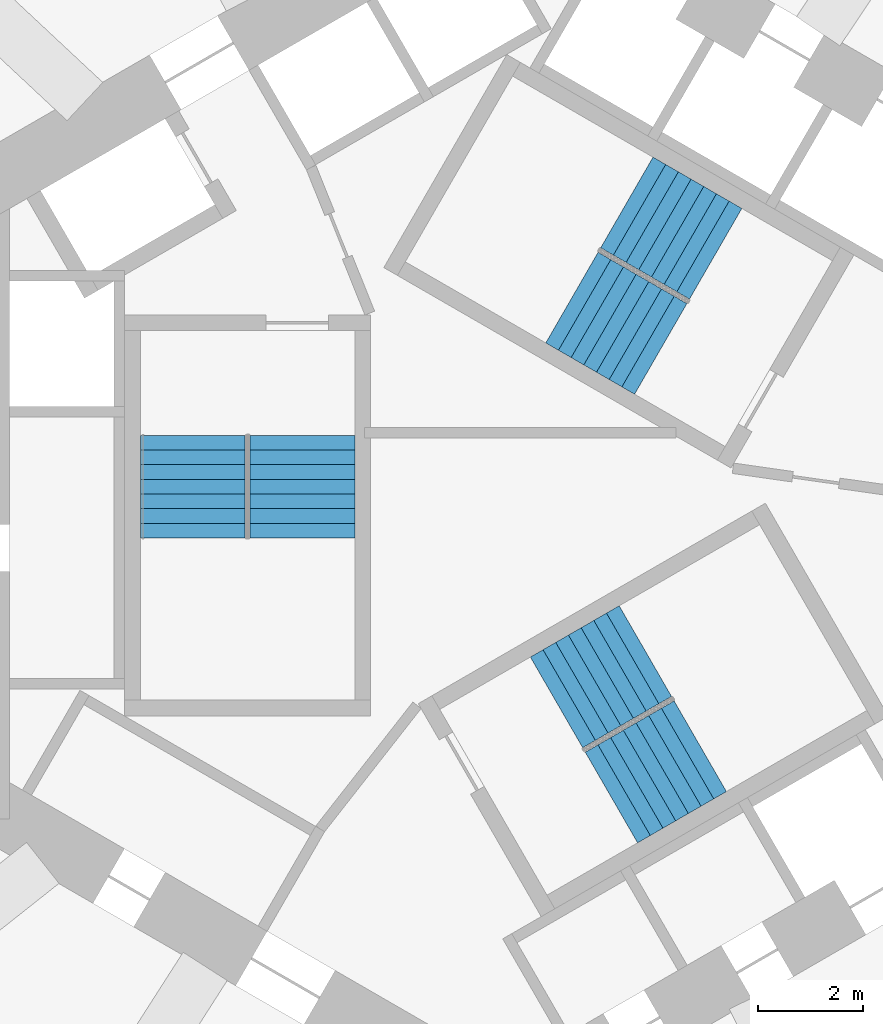
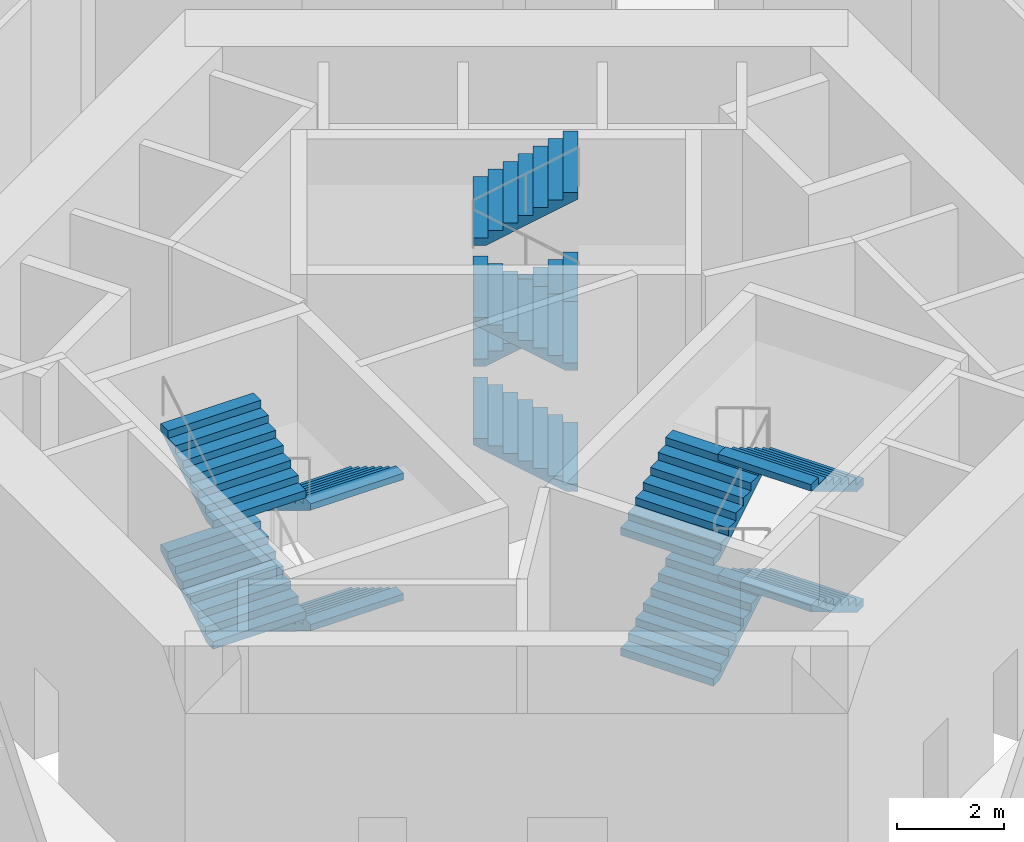
# One storey, part 12 of 16: 12 stair flights, 3 elements without a shape of their own.
"""IFC4 building model written with IfcOpenShell, lengths in metres."""

import ifcopenshell
import ifcopenshell.guid

model = None  # the IFC model being written
_history = None  # IfcOwnerHistory: only IFC2X3 demands one
_inside = {}  # id of a spatial element -> (the spatial element, [elements in it])
_under = {}  # id of a project, library or spatial element -> (it, [spatial elements below it])
_declared = {}  # id of a project -> (the project, [libraries it declares])
_typed = {}  # id of a type object -> (the type object, [elements of that type])
_made_of = {}  # id of a material, layer set ... -> (it, [elements and type objects made of it])


def new_model(schema):
    """Start an empty IFC model of exactly this schema.

    Asked for "IFC4X3", IfcOpenShell would pick the latest addendum, in which some entities
    have other attributes; the version numbers below select the first issue.
    IFC2X3 requires an IfcOwnerHistory on every rooted entity: one is made here for all.
    """
    global model, _history
    if schema == "IFC4X3":
        model = ifcopenshell.file(schema_version=(4, 3, 0, 0))
    else:
        model = ifcopenshell.file(schema=schema)
    _inside.clear()
    _under.clear()
    _declared.clear()
    _typed.clear()
    _made_of.clear()
    _history = None
    if model.schema == "IFC2X3":
        org = make("IfcOrganization", Name="unknown")
        user = make(
            "IfcPersonAndOrganization",
            ThePerson=make("IfcPerson", FamilyName="unknown"),
            TheOrganization=org,
        )
        app = make(
            "IfcApplication",
            ApplicationDeveloper=org,
            Version="unknown",
            ApplicationFullName="unknown",
            ApplicationIdentifier="unknown",
        )
        _history = make(
            "IfcOwnerHistory",
            OwningUser=user,
            OwningApplication=app,
            ChangeAction="ADDED",
            CreationDate=0,
        )
    return model


def make(cls, **values):
    """One entity of the class cls with the attributes given. An attribute that is None is left unset."""
    return model.create_entity(
        cls, **{name: value for name, value in values.items() if value is not None}
    )


def rooted(cls, **values):
    """An entity with a GlobalId (a new one), such as an element, a storey or a relation."""
    return make(cls, GlobalId=ifcopenshell.guid.new(), OwnerHistory=_history, **values)


def si_unit(unit_type, name, prefix=None):
    """IfcSIUnit, for example si_unit("LENGTHUNIT", "METRE", prefix="MILLI")."""
    return make("IfcSIUnit", UnitType=unit_type, Prefix=prefix, Name=name)


def assignment(units):
    """IfcUnitAssignment: the units of a project."""
    return None if units is None else make("IfcUnitAssignment", Units=units)


def point(xyz):
    """IfcCartesianPoint."""
    return None if xyz is None else make("IfcCartesianPoint", Coordinates=xyz)


def direction(xyz):
    """IfcDirection."""
    return None if xyz is None else make("IfcDirection", DirectionRatios=xyz)


def frame(location, z_axis=None, x_axis=None):
    """IfcAxis2Placement3D, a coordinate frame: its origin and axes. An axis left out is left unset."""
    return make(
        "IfcAxis2Placement3D",
        Location=point(location),
        Axis=direction(z_axis),
        RefDirection=direction(x_axis),
    )


def origin():
    """The frame at (0, 0, 0) with its axes left unset."""
    return frame((0.0, 0.0, 0.0))


def place(relative_to, where):
    """IfcLocalPlacement: puts the frame where relative to a parent placement (None: the world)."""
    return make(
        "IfcLocalPlacement", PlacementRelTo=relative_to, RelativePlacement=where
    )


def context(
    kind, dimensions, precision=None, world=None, true_north=None, identifier=None
):
    """IfcGeometricRepresentationContext, for example the 3D "Model" context."""
    return make(
        "IfcGeometricRepresentationContext",
        ContextIdentifier=identifier,
        ContextType=kind,
        CoordinateSpaceDimension=dimensions,
        Precision=precision,
        WorldCoordinateSystem=world,
        TrueNorth=true_north,
    )


def subcontext(parent, identifier, kind, view, scale=None):
    """IfcGeometricRepresentationSubContext, for example "Body" below "Model"."""
    return make(
        "IfcGeometricRepresentationSubContext",
        ContextIdentifier=identifier,
        ContextType=kind,
        ParentContext=parent,
        TargetScale=scale,
        TargetView=view,
    )


def project(units=None, contexts=None):
    """IfcProject with its units and contexts."""
    return rooted(
        "IfcProject",
        Name="project",
        RepresentationContexts=contexts,
        UnitsInContext=assignment(units),
    )


def spatial(cls, under=None, at=None, **own):
    """A site, building, storey or space (cls), placed at a placement, below another one or the project."""
    s = rooted(cls, ObjectPlacement=at, **own)
    if under is not None:
        _under.setdefault(under.id(), (under, []))[1].append(s)
    return s


def point_list(points):
    """IfcCartesianPointList2D or 3D."""
    cls = (
        "IfcCartesianPointList2D" if len(points[0]) == 2 else "IfcCartesianPointList3D"
    )
    return make(cls, CoordList=points)


def triangles(points, corners, closed=None, point_numbers=None):
    """IfcTriangulatedFaceSet: each triangle names its three corners, points numbered from 1."""
    return make(
        "IfcTriangulatedFaceSet",
        Coordinates=point_list(points),
        Closed=closed,
        CoordIndex=corners,
        PnIndex=point_numbers,
    )


def shape(context_of_items, identifier, shape_type, items):
    """IfcShapeRepresentation: the items that make up one representation, for example the "Body"."""
    return make(
        "IfcShapeRepresentation",
        ContextOfItems=context_of_items,
        RepresentationIdentifier=identifier,
        RepresentationType=shape_type,
        Items=items,
    )


def source(mapping_origin, context_of_items, identifier, shape_type, items):
    """IfcRepresentationMap: a shape defined once, which mapped items show again and again."""
    return make(
        "IfcRepresentationMap",
        MappingOrigin=mapping_origin,
        MappedRepresentation=shape(context_of_items, identifier, shape_type, items),
    )


def transform(
    local_origin,
    x_axis=None,
    y_axis=None,
    z_axis=None,
    scale=None,
    scale2=None,
    scale3=None,
    uniform=True,
):
    """IfcCartesianTransformationOperator3D, or its non-uniform kind. x_axis, y_axis, z_axis: its Axis1, 2, 3."""
    if uniform:
        return make(
            "IfcCartesianTransformationOperator3D",
            Axis1=direction(x_axis),
            Axis2=direction(y_axis),
            LocalOrigin=point(local_origin),
            Scale=scale,
            Axis3=direction(z_axis),
        )
    return make(
        "IfcCartesianTransformationOperator3DnonUniform",
        Axis1=direction(x_axis),
        Axis2=direction(y_axis),
        LocalOrigin=point(local_origin),
        Scale=scale,
        Axis3=direction(z_axis),
        Scale2=scale2,
        Scale3=scale3,
    )


def mapped(mapping_source, mapping_target):
    """IfcMappedItem: shows the shape of a source again, moved by a transform."""
    return make(
        "IfcMappedItem", MappingSource=mapping_source, MappingTarget=mapping_target
    )


def material(Name=None, Category=None):
    """IfcMaterial."""
    return make("IfcMaterial", Name=Name, Category=Category)


def made_of(thing, what):
    """Note that an element or type object is made of a material, layer set ...; save() writes the relation."""
    if what is not None:
        _made_of.setdefault(what.id(), (what, []))[1].append(thing)
    return thing


def type_object(cls, material=None, **own):
    """A type object (cls), such as IfcWallType, which elements share."""
    return made_of(rooted(cls, **own), material)


def element(
    cls,
    number,
    at=None,
    inside=None,
    cuts=None,
    type_object=None,
    material=None,
    context=None,
    identifier="Body",
    shape_type=None,
    held_by="IfcProductDefinitionShape",
    body=None,
    shapes=None,
    **own,
):
    """One element of the class cls, such as IfcWall. Its Tag is "e" and its number.

    at: its placement. inside: the storey or other place that contains it. cuts: it is an
    opening in that element (IfcRelVoidsElement). A single representation is given by context,
    identifier, shape_type and body (its items); several are given by shapes. held_by: the class
    of the entity that holds the representations. save() writes the other relations.
    """
    e = rooted(cls, Tag="e%d" % number, ObjectPlacement=at, **own)
    if body is not None:
        shapes = [shape(context, identifier, shape_type, body)]
    if shapes is not None:
        e.Representation = make(held_by, Representations=shapes)
    if inside is not None:
        _inside.setdefault(inside.id(), (inside, []))[1].append(e)
    if cuts is not None:
        rooted(
            "IfcRelVoidsElement", RelatingBuildingElement=cuts, RelatedOpeningElement=e
        )
    if type_object is not None:
        _typed.setdefault(type_object.id(), (type_object, []))[1].append(e)
    return made_of(e, material)


def aggregate(whole, parts):
    """IfcRelAggregates: a whole, such as a stair, and the parts it consists of."""
    return rooted("IfcRelAggregates", RelatingObject=whole, RelatedObjects=parts)


def save(model, path):
    """Write the relations noted so far, then the file.

    IfcRelAggregates (storeys below a building ...), IfcRelContainedInSpatialStructure (elements
    in a storey), IfcRelDefinesByType, IfcRelAssociatesMaterial and IfcRelDeclares: one each for
    every whole, place, type object, material and project.
    """
    for whole, parts in _under.values():
        aggregate(whole, parts)
    for where, things in _inside.values():
        rooted(
            "IfcRelContainedInSpatialStructure",
            RelatedElements=things,
            RelatingStructure=where,
        )
    for kind, things in _typed.values():
        rooted("IfcRelDefinesByType", RelatedObjects=things, RelatingType=kind)
    for what, things in _made_of.values():
        rooted("IfcRelAssociatesMaterial", RelatedObjects=things, RelatingMaterial=what)
    for by, libraries in _declared.values():
        rooted("IfcRelDeclares", RelatingContext=by, RelatedDefinitions=libraries)
    model.write(path)


model = new_model("IFC4")

# Units and contexts
model_context = context("Model", 3, precision=1e-05, world=origin(), true_north=direction((0.0, 1.0)))
body_context = subcontext(model_context, "Body", "Model", "MODEL_VIEW")
ifc_project = project(units=[si_unit("LENGTHUNIT", "METRE"), si_unit("AREAUNIT", "SQUARE_METRE"), si_unit("VOLUMEUNIT", "CUBIC_METRE"), si_unit("PLANEANGLEUNIT", "RADIAN"), si_unit("MASSUNIT", "GRAM", prefix="KILO")], contexts=[model_context])

# Site, building, storey
site_placement = place(None, origin())
site = spatial("IfcSite", under=ifc_project, at=site_placement, CompositionType="ELEMENT")
building_placement = place(site_placement, origin())
building = spatial("IfcBuilding", under=site, at=building_placement, Name="Vanh Sen Convention Tower", CompositionType="ELEMENT")
storey_placement = place(building_placement, frame((0.0, 0.0, 29.0)))
storey = spatial("IfcBuildingStorey", under=building, at=storey_placement, Name="L04", CompositionType="ELEMENT", Elevation=29.0)

# Stair, stair flights
ifc_material_1 = material(Name="Concrete C50/60", Category="concrete")
stair_type_1 = type_object("IfcStairType", Name="Exit stair ST1 32 risers at 171.9", PredefinedType="HALF_TURN_STAIR", material=ifc_material_1)
stair_1_placement = place(storey_placement, origin())
stair_1 = element("IfcStair", 1, at=stair_1_placement, inside=storey, type_object=stair_type_1, Name="Exit stair ST1 L04", PredefinedType="HALF_TURN_STAIR")
ifc_material_2 = material(Name="Concrete C40/50", Category="concrete")
stair_flight_type = type_object("IfcStairFlightType", Name="Stair flight 2000", PredefinedType="STRAIGHT", material=ifc_material_2)
shared_shape = source(origin(), body_context, "Body", "Tessellation", [
    triangles([(0.239013671875, 1.0, 0.0), (0.0, 1.0, 0.0), (0.0, 1.0, 0.171875), (0.280029296875, 1.0, 0.171875), (0.280029296875, 1.0, 0.34375), (0.56005859375, 1.0, 0.34375), (0.56005859375, 1.0, 0.515625), (0.840087890625, 1.0, 0.515625), (0.840087890625, 1.0, 0.6875), (1.1201171875, 1.0, 0.6875), (1.1201171875, 1.0, 0.859375), (1.39990234375, 1.0, 0.859375), (1.39990234375, 1.0, 1.03125), (1.679931640625, 1.0, 1.03125), (1.679931640625, 1.0, 1.203125), (1.9599609375, 1.0, 1.203125), (1.9599609375, 1.0, 1.056396484375), (0.239013671875, -1.0, 0.0), (0.0, -1.0, 0.0), (0.0, -1.0, 0.171875), (0.280029296875, -1.0, 0.171875), (0.280029296875, -1.0, 0.34375), (0.56005859375, -1.0, 0.34375), (0.56005859375, -1.0, 0.515625), (0.840087890625, -1.0, 0.515625), (0.840087890625, -1.0, 0.6875), (1.1201171875, -1.0, 0.6875), (1.1201171875, -1.0, 0.859375), (1.39990234375, -1.0, 0.859375), (1.39990234375, -1.0, 1.03125), (1.679931640625, -1.0, 1.03125), (1.679931640625, -1.0, 1.203125), (1.9599609375, -1.0, 1.203125), (1.9599609375, -1.0, 1.056396484375), (0.0, 0.0400390625, 0.0), (0.0, 0.0390625, 0.0), (0.0, 0.0380859375, 0.0), (0.0, 0.037109375, 0.0), (0.0, 0.035888671875, 0.0), (0.0, 0.034912109375, 0.0), (0.0, 0.033935546875, 0.0), (0.0, 0.032958984375, 0.0), (0.0, 0.031982421875, 0.0), (0.0, 0.031005859375, 0.0), (0.0, 0.030029296875, 0.0), (0.0, 0.029052734375, 0.0), (0.0, 0.028076171875, 0.0), (0.0, 0.027099609375, 0.0), (0.0, 0.02587890625, 0.0), (0.0, 0.02490234375, 0.0), (0.0, 0.02392578125, 0.0), (0.0, 0.02294921875, 0.0), (0.0, 0.02197265625, 0.0), (0.0, 0.02099609375, 0.0), (0.0, 0.02001953125, 0.0), (0.0, 0.01904296875, 0.0), (0.0, 0.01806640625, 0.0), (0.0, 0.01708984375, 0.0), (0.0, 0.01611328125, 0.0), (0.0, 0.014892578125, 0.0), (0.0, 0.013916015625, 0.0), (0.0, 0.012939453125, 0.0), (0.0, 0.011962890625, 0.0), (0.0, 0.010986328125, 0.0), (0.0, 0.010009765625, 0.0), (0.0, 0.009033203125, 0.0), (0.0, 0.008056640625, 0.0), (0.0, 0.007080078125, 0.0), (0.0, 0.006103515625, 0.0), (0.0, 0.0048828125, 0.0), (0.0, 0.00390625, 0.0), (0.0, 0.0029296875, 0.0), (0.0, 0.001953125, 0.0), (0.0, 0.0009765625, 0.0), (0.0, 0.0, 0.0), (0.0, -0.0009765625, 0.0), (0.0, -0.001953125, 0.0), (0.0, -0.0029296875, 0.0), (0.0, -0.00390625, 0.0), (0.0, -0.0048828125, 0.0), (0.0, -0.006103515625, 0.0), (0.0, -0.007080078125, 0.0), (0.0, -0.008056640625, 0.0), (0.0, -0.009033203125, 0.0), (0.0, -0.010009765625, 0.0), (0.0, -0.010986328125, 0.0), (0.0, -0.011962890625, 0.0), (0.0, -0.012939453125, 0.0), (0.0, -0.013916015625, 0.0), (0.0, -0.014892578125, 0.0), (0.0, -0.01611328125, 0.0), (0.0, -0.01708984375, 0.0), (0.0, -0.01806640625, 0.0), (0.0, -0.01904296875, 0.0), (0.0, -0.02001953125, 0.0), (0.0, -0.02099609375, 0.0), (0.0, -0.02197265625, 0.0), (0.0, -0.02294921875, 0.0), (0.0, -0.02392578125, 0.0), (0.0, -0.02490234375, 0.0), (0.0, -0.02587890625, 0.0), (0.0, -0.027099609375, 0.0), (0.0, -0.028076171875, 0.0), (0.0, -0.029052734375, 0.0), (0.0, -0.030029296875, 0.0), (0.0, -0.031005859375, 0.0), (0.0, -0.031982421875, 0.0), (0.0, -0.032958984375, 0.0), (0.0, -0.033935546875, 0.0), (0.0, -0.034912109375, 0.0), (0.0, -0.035888671875, 0.0), (0.0, -0.037109375, 0.0), (0.0, -0.0380859375, 0.0), (0.0, -0.0390625, 0.0), (0.0, -0.0400390625, 0.0), (0.0, 0.0400390625, 0.171875), (0.0, 0.0390625, 0.171875), (0.0, 0.0380859375, 0.171875), (0.0, 0.037109375, 0.171875), (0.0, 0.035888671875, 0.171875), (0.0, 0.034912109375, 0.171875), (0.0, 0.033935546875, 0.171875), (0.0, 0.032958984375, 0.171875), (0.0, 0.031982421875, 0.171875), (0.0, 0.031005859375, 0.171875), (0.0, 0.030029296875, 0.171875), (0.0, 0.029052734375, 0.171875), (0.0, 0.028076171875, 0.171875), (0.0, 0.027099609375, 0.171875), (0.0, 0.02587890625, 0.171875), (0.0, 0.02490234375, 0.171875), (0.0, 0.02392578125, 0.171875), (0.0, 0.02294921875, 0.171875), (0.0, 0.02197265625, 0.171875), (0.0, 0.02099609375, 0.171875), (0.0, 0.02001953125, 0.171875), (0.0, 0.01904296875, 0.171875), (0.0, 0.01806640625, 0.171875), (0.0, 0.01708984375, 0.171875), (0.0, 0.01611328125, 0.171875), (0.0, 0.014892578125, 0.171875), (0.0, 0.013916015625, 0.171875), (0.0, 0.012939453125, 0.171875), (0.0, 0.011962890625, 0.171875), (0.0, 0.010986328125, 0.171875), (0.0, 0.010009765625, 0.171875), (0.0, 0.009033203125, 0.171875), (0.0, 0.008056640625, 0.171875), (0.0, 0.007080078125, 0.171875), (0.0, 0.006103515625, 0.171875), (0.0, 0.0048828125, 0.171875), (0.0, 0.00390625, 0.171875), (0.0, 0.0029296875, 0.171875), (0.0, 0.001953125, 0.171875), (0.0, 0.0009765625, 0.171875), (0.0, 0.0, 0.171875), (0.0, -0.0009765625, 0.171875), (0.0, -0.001953125, 0.171875), (0.0, -0.0029296875, 0.171875), (0.0, -0.00390625, 0.171875), (0.0, -0.0048828125, 0.171875), (0.0, -0.006103515625, 0.171875), (0.0, -0.007080078125, 0.171875), (0.0, -0.008056640625, 0.171875), (0.0, -0.009033203125, 0.171875), (0.0, -0.010009765625, 0.171875), (0.0, -0.010986328125, 0.171875), (0.0, -0.011962890625, 0.171875), (0.0, -0.012939453125, 0.171875), (0.0, -0.013916015625, 0.171875), (0.0, -0.014892578125, 0.171875), (0.0, -0.01611328125, 0.171875), (0.0, -0.01708984375, 0.171875), (0.0, -0.01806640625, 0.171875), (0.0, -0.01904296875, 0.171875), (0.0, -0.02001953125, 0.171875), (0.0, -0.02099609375, 0.171875), (0.0, -0.02197265625, 0.171875), (0.0, -0.02294921875, 0.171875), (0.0, -0.02392578125, 0.171875), (0.0, -0.02490234375, 0.171875), (0.0, -0.02587890625, 0.171875), (0.0, -0.027099609375, 0.171875), (0.0, -0.028076171875, 0.171875), (0.0, -0.029052734375, 0.171875), (0.0, -0.030029296875, 0.171875), (0.0, -0.031005859375, 0.171875), (0.0, -0.031982421875, 0.171875), (0.0, -0.032958984375, 0.171875), (0.0, -0.033935546875, 0.171875), (0.0, -0.034912109375, 0.171875), (0.0, -0.035888671875, 0.171875), (0.0, -0.037109375, 0.171875), (0.0, -0.0380859375, 0.171875), (0.0, -0.0390625, 0.171875), (0.0, -0.0400390625, 0.171875), (0.280029296875, 0.0, 0.171875), (0.280029296875, 0.0, 0.34375), (0.56005859375, 0.0, 0.34375), (0.56005859375, 0.0, 0.515625), (0.840087890625, 0.0, 0.515625), (0.840087890625, 0.0, 0.6875), (1.1201171875, 0.0, 0.6875), (1.1201171875, 0.0, 0.859375), (1.39990234375, 0.0, 0.859375), (1.39990234375, 0.0, 1.03125), (1.679931640625, 0.0, 1.03125), (1.679931640625, 0.0, 1.203125), (1.9599609375, 0.0400390625, 1.203125), (1.9599609375, 0.0390625, 1.203125), (1.9599609375, 0.0380859375, 1.203125), (1.9599609375, 0.037109375, 1.203125), (1.9599609375, 0.035888671875, 1.203125), (1.9599609375, 0.034912109375, 1.203125), (1.9599609375, 0.033935546875, 1.203125), (1.9599609375, 0.032958984375, 1.203125), (1.9599609375, 0.031982421875, 1.203125), (1.9599609375, 0.031005859375, 1.203125), (1.9599609375, 0.030029296875, 1.203125), (1.9599609375, 0.029052734375, 1.203125), (1.9599609375, 0.028076171875, 1.203125), (1.9599609375, 0.027099609375, 1.203125), (1.9599609375, 0.02587890625, 1.203125), (1.9599609375, 0.02490234375, 1.203125), (1.9599609375, 0.02392578125, 1.203125), (1.9599609375, 0.02294921875, 1.203125), (1.9599609375, 0.02197265625, 1.203125), (1.9599609375, 0.02099609375, 1.203125), (1.9599609375, 0.02001953125, 1.203125), (1.9599609375, 0.01904296875, 1.203125), (1.9599609375, 0.01806640625, 1.203125), (1.9599609375, 0.01708984375, 1.203125), (1.9599609375, 0.01611328125, 1.203125), (1.9599609375, 0.014892578125, 1.203125), (1.9599609375, 0.013916015625, 1.203125), (1.9599609375, 0.012939453125, 1.203125), (1.9599609375, 0.011962890625, 1.203125), (1.9599609375, 0.010986328125, 1.203125), (1.9599609375, 0.010009765625, 1.203125), (1.9599609375, 0.009033203125, 1.203125), (1.9599609375, 0.008056640625, 1.203125), (1.9599609375, 0.007080078125, 1.203125), (1.9599609375, 0.006103515625, 1.203125), (1.9599609375, 0.0048828125, 1.203125), (1.9599609375, 0.00390625, 1.203125), (1.9599609375, 0.0029296875, 1.203125), (1.9599609375, 0.001953125, 1.203125), (1.9599609375, 0.0009765625, 1.203125), (1.9599609375, 0.0, 1.203125), (1.9599609375, -0.0009765625, 1.203125), (1.9599609375, -0.001953125, 1.203125), (1.9599609375, -0.0029296875, 1.203125), (1.9599609375, -0.00390625, 1.203125), (1.9599609375, -0.0048828125, 1.203125), (1.9599609375, -0.006103515625, 1.203125), (1.9599609375, -0.007080078125, 1.203125), (1.9599609375, -0.008056640625, 1.203125), (1.9599609375, -0.009033203125, 1.203125), (1.9599609375, -0.010009765625, 1.203125), (1.9599609375, -0.010986328125, 1.203125), (1.9599609375, -0.011962890625, 1.203125), (1.9599609375, -0.012939453125, 1.203125), (1.9599609375, -0.013916015625, 1.203125), (1.9599609375, -0.014892578125, 1.203125), (1.9599609375, -0.01611328125, 1.203125), (1.9599609375, -0.01708984375, 1.203125), (1.9599609375, -0.01806640625, 1.203125), (1.9599609375, -0.01904296875, 1.203125), (1.9599609375, -0.02001953125, 1.203125), (1.9599609375, -0.02099609375, 1.203125), (1.9599609375, -0.02197265625, 1.203125), (1.9599609375, -0.02294921875, 1.203125), (1.9599609375, -0.02392578125, 1.203125), (1.9599609375, -0.02490234375, 1.203125), (1.9599609375, -0.02587890625, 1.203125), (1.9599609375, -0.027099609375, 1.203125), (1.9599609375, -0.028076171875, 1.203125), (1.9599609375, -0.029052734375, 1.203125), (1.9599609375, -0.030029296875, 1.203125), (1.9599609375, -0.031005859375, 1.203125), (1.9599609375, -0.031982421875, 1.203125), (1.9599609375, -0.032958984375, 1.203125), (1.9599609375, -0.033935546875, 1.203125), (1.9599609375, -0.034912109375, 1.203125), (1.9599609375, -0.035888671875, 1.203125), (1.9599609375, -0.037109375, 1.203125), (1.9599609375, -0.0380859375, 1.203125), (1.9599609375, -0.0390625, 1.203125), (1.9599609375, -0.0400390625, 1.203125), (1.9599609375, 0.0400390625, 1.056396484375), (1.9599609375, 0.0390625, 1.056396484375), (1.9599609375, 0.0380859375, 1.056396484375), (1.9599609375, 0.037109375, 1.056396484375), (1.9599609375, 0.035888671875, 1.056396484375), (1.9599609375, 0.034912109375, 1.056396484375), (1.9599609375, 0.033935546875, 1.056396484375), (1.9599609375, 0.032958984375, 1.056396484375), (1.9599609375, 0.031982421875, 1.056396484375), (1.9599609375, 0.031005859375, 1.056396484375), (1.9599609375, 0.030029296875, 1.056396484375), (1.9599609375, 0.029052734375, 1.056396484375), (1.9599609375, 0.028076171875, 1.056396484375), (1.9599609375, 0.027099609375, 1.056396484375), (1.9599609375, 0.02587890625, 1.056396484375), (1.9599609375, 0.02490234375, 1.056396484375), (1.9599609375, 0.02392578125, 1.056396484375), (1.9599609375, 0.02294921875, 1.056396484375), (1.9599609375, 0.02197265625, 1.056396484375), (1.9599609375, 0.02099609375, 1.056396484375), (1.9599609375, 0.02001953125, 1.056396484375), (1.9599609375, 0.01904296875, 1.056396484375), (1.9599609375, 0.01806640625, 1.056396484375), (1.9599609375, 0.01708984375, 1.056396484375), (1.9599609375, 0.01611328125, 1.056396484375), (1.9599609375, 0.014892578125, 1.056396484375), (1.9599609375, 0.013916015625, 1.056396484375), (1.9599609375, 0.012939453125, 1.056396484375), (1.9599609375, 0.011962890625, 1.056396484375), (1.9599609375, 0.010986328125, 1.056396484375), (1.9599609375, 0.010009765625, 1.056396484375), (1.9599609375, 0.009033203125, 1.056396484375), (1.9599609375, 0.008056640625, 1.056396484375), (1.9599609375, 0.007080078125, 1.056396484375), (1.9599609375, 0.006103515625, 1.056396484375), (1.9599609375, 0.0048828125, 1.056396484375), (1.9599609375, 0.00390625, 1.056396484375), (1.9599609375, 0.0029296875, 1.056396484375), (1.9599609375, 0.001953125, 1.056396484375), (1.9599609375, 0.0009765625, 1.056396484375), (1.9599609375, 0.0, 1.056396484375), (1.9599609375, -0.0009765625, 1.056396484375), (1.9599609375, -0.001953125, 1.056396484375), (1.9599609375, -0.0029296875, 1.056396484375), (1.9599609375, -0.00390625, 1.056396484375), (1.9599609375, -0.0048828125, 1.056396484375), (1.9599609375, -0.006103515625, 1.056396484375), (1.9599609375, -0.007080078125, 1.056396484375), (1.9599609375, -0.008056640625, 1.056396484375), (1.9599609375, -0.009033203125, 1.056396484375), (1.9599609375, -0.010009765625, 1.056396484375), (1.9599609375, -0.010986328125, 1.056396484375), (1.9599609375, -0.011962890625, 1.056396484375), (1.9599609375, -0.012939453125, 1.056396484375), (1.9599609375, -0.013916015625, 1.056396484375), (1.9599609375, -0.014892578125, 1.056396484375), (1.9599609375, -0.01611328125, 1.056396484375), (1.9599609375, -0.01708984375, 1.056396484375), (1.9599609375, -0.01806640625, 1.056396484375), (1.9599609375, -0.01904296875, 1.056396484375), (1.9599609375, -0.02001953125, 1.056396484375), (1.9599609375, -0.02099609375, 1.056396484375), (1.9599609375, -0.02197265625, 1.056396484375), (1.9599609375, -0.02294921875, 1.056396484375), (1.9599609375, -0.02392578125, 1.056396484375), (1.9599609375, -0.02490234375, 1.056396484375), (1.9599609375, -0.02587890625, 1.056396484375), (1.9599609375, -0.027099609375, 1.056396484375), (1.9599609375, -0.028076171875, 1.056396484375), (1.9599609375, -0.029052734375, 1.056396484375), (1.9599609375, -0.030029296875, 1.056396484375), (1.9599609375, -0.031005859375, 1.056396484375), (1.9599609375, -0.031982421875, 1.056396484375), (1.9599609375, -0.032958984375, 1.056396484375), (1.9599609375, -0.033935546875, 1.056396484375), (1.9599609375, -0.034912109375, 1.056396484375), (1.9599609375, -0.035888671875, 1.056396484375), (1.9599609375, -0.037109375, 1.056396484375), (1.9599609375, -0.0380859375, 1.056396484375), (1.9599609375, -0.0390625, 1.056396484375), (1.9599609375, -0.0400390625, 1.056396484375), (0.239013671875, 0.0, 0.0)], [[1, 2, 3], [1, 3, 4], [4, 5, 6], [1, 4, 6], [6, 7, 8], [1, 6, 8], [8, 9, 10], [1, 8, 10], [10, 11, 12], [1, 10, 12], [12, 13, 14], [1, 12, 14], [14, 15, 16], [1, 14, 16], [16, 17, 1], [18, 20, 19], [18, 21, 20], [21, 23, 22], [18, 23, 21], [23, 25, 24], [18, 25, 23], [25, 27, 26], [18, 27, 25], [27, 29, 28], [18, 29, 27], [29, 31, 30], [18, 31, 29], [31, 33, 32], [18, 33, 31], [33, 18, 34], [2, 116, 3], [2, 35, 116], [35, 117, 116], [35, 36, 117], [36, 118, 117], [36, 37, 118], [37, 119, 118], [37, 38, 119], [38, 120, 119], [38, 39, 120], [39, 121, 120], [39, 40, 121], [40, 122, 121], [40, 41, 122], [41, 123, 122], [41, 42, 123], [42, 124, 123], [42, 43, 124], [43, 125, 124], [43, 44, 125], [44, 126, 125], [44, 45, 126], [45, 127, 126], [45, 46, 127], [46, 128, 127], [46, 47, 128], [47, 129, 128], [47, 48, 129], [48, 130, 129], [48, 49, 130], [49, 131, 130], [49, 50, 131], [50, 132, 131], [50, 51, 132], [51, 133, 132], [51, 52, 133], [52, 134, 133], [52, 53, 134], [53, 135, 134], [53, 54, 135], [54, 136, 135], [54, 55, 136], [55, 137, 136], [55, 56, 137], [56, 138, 137], [56, 57, 138], [57, 139, 138], [57, 58, 139], [58, 140, 139], [58, 59, 140], [59, 141, 140], [59, 60, 141], [60, 142, 141], [60, 61, 142], [61, 143, 142], [61, 62, 143], [62, 144, 143], [62, 63, 144], [63, 145, 144], [63, 64, 145], [64, 146, 145], [64, 65, 146], [65, 147, 146], [65, 66, 147], [66, 148, 147], [66, 67, 148], [67, 149, 148], [67, 68, 149], [68, 150, 149], [68, 69, 150], [69, 151, 150], [69, 70, 151], [70, 152, 151], [70, 71, 152], [71, 153, 152], [71, 72, 153], [72, 154, 153], [72, 73, 154], [73, 155, 154], [73, 74, 155], [74, 156, 155], [74, 75, 156], [75, 76, 156], [156, 76, 157], [76, 77, 157], [157, 77, 158], [77, 78, 158], [158, 78, 159], [78, 79, 159], [159, 79, 160], [79, 80, 160], [160, 80, 161], [80, 81, 161], [161, 81, 162], [81, 82, 162], [162, 82, 163], [82, 83, 163], [163, 83, 164], [83, 84, 164], [164, 84, 165], [84, 85, 165], [165, 85, 166], [85, 86, 166], [166, 86, 167], [86, 87, 167], [167, 87, 168], [87, 88, 168], [168, 88, 169], [88, 89, 169], [169, 89, 170], [89, 90, 170], [170, 90, 171], [90, 91, 171], [171, 91, 172], [91, 92, 172], [172, 92, 173], [92, 93, 173], [173, 93, 174], [93, 94, 174], [174, 94, 175], [94, 95, 175], [175, 95, 176], [95, 96, 176], [176, 96, 177], [96, 97, 177], [177, 97, 178], [97, 98, 178], [178, 98, 179], [98, 99, 179], [179, 99, 180], [99, 100, 180], [180, 100, 181], [100, 101, 181], [181, 101, 182], [101, 102, 182], [182, 102, 183], [102, 103, 183], [183, 103, 184], [103, 104, 184], [184, 104, 185], [104, 105, 185], [185, 105, 186], [105, 106, 186], [186, 106, 187], [106, 107, 187], [187, 107, 188], [107, 108, 188], [188, 108, 189], [108, 109, 189], [189, 109, 190], [109, 110, 190], [190, 110, 191], [110, 111, 191], [191, 111, 192], [111, 112, 192], [192, 112, 193], [112, 113, 193], [193, 113, 194], [113, 114, 194], [194, 114, 195], [114, 115, 195], [195, 115, 196], [115, 19, 196], [196, 19, 20], [4, 3, 116], [4, 116, 117], [4, 117, 118], [4, 118, 119], [4, 119, 120], [4, 120, 121], [4, 121, 122], [4, 122, 123], [4, 123, 124], [4, 124, 125], [4, 125, 126], [4, 126, 127], [4, 127, 128], [4, 128, 129], [4, 129, 130], [4, 130, 131], [4, 131, 132], [4, 132, 133], [4, 133, 134], [4, 134, 135], [4, 135, 136], [4, 136, 137], [4, 137, 138], [4, 138, 139], [4, 139, 140], [4, 140, 141], [4, 141, 142], [4, 142, 143], [4, 143, 144], [4, 144, 145], [4, 145, 146], [4, 146, 147], [4, 147, 148], [4, 148, 149], [4, 149, 150], [4, 150, 151], [4, 151, 152], [4, 152, 153], [4, 153, 154], [4, 154, 155], [4, 155, 156], [21, 156, 157], [21, 157, 158], [21, 158, 159], [21, 159, 160], [21, 160, 161], [21, 161, 162], [21, 162, 163], [21, 163, 164], [21, 164, 165], [21, 165, 166], [21, 166, 167], [21, 167, 168], [21, 168, 169], [21, 169, 170], [21, 170, 171], [21, 171, 172], [21, 172, 173], [21, 173, 174], [21, 174, 175], [21, 175, 176], [21, 176, 177], [21, 177, 178], [21, 178, 179], [21, 179, 180], [21, 180, 181], [21, 181, 182], [21, 182, 183], [21, 183, 184], [21, 184, 185], [21, 185, 186], [21, 186, 187], [21, 187, 188], [21, 188, 189], [21, 189, 190], [21, 190, 191], [21, 191, 192], [21, 192, 193], [21, 193, 194], [21, 194, 195], [21, 195, 196], [21, 196, 20], [4, 156, 197], [21, 197, 156], [4, 198, 5], [4, 197, 198], [197, 21, 198], [198, 21, 22], [5, 199, 6], [5, 198, 199], [198, 22, 199], [199, 22, 23], [6, 200, 7], [6, 199, 200], [199, 23, 200], [200, 23, 24], [7, 201, 8], [7, 200, 201], [200, 24, 201], [201, 24, 25], [8, 202, 9], [8, 201, 202], [201, 25, 202], [202, 25, 26], [9, 203, 10], [9, 202, 203], [202, 26, 203], [203, 26, 27], [10, 204, 11], [10, 203, 204], [203, 27, 204], [204, 27, 28], [11, 205, 12], [11, 204, 205], [204, 28, 205], [205, 28, 29], [12, 206, 13], [12, 205, 206], [205, 29, 206], [206, 29, 30], [13, 207, 14], [13, 206, 207], [206, 30, 207], [207, 30, 31], [14, 208, 15], [14, 207, 208], [207, 31, 208], [208, 31, 32], [15, 209, 16], [15, 210, 209], [15, 211, 210], [15, 212, 211], [15, 213, 212], [15, 214, 213], [15, 215, 214], [15, 216, 215], [15, 217, 216], [15, 218, 217], [15, 219, 218], [15, 220, 219], [15, 221, 220], [15, 222, 221], [15, 223, 222], [15, 224, 223], [15, 225, 224], [15, 226, 225], [15, 227, 226], [15, 228, 227], [15, 229, 228], [15, 230, 229], [15, 231, 230], [15, 232, 231], [15, 233, 232], [15, 234, 233], [15, 235, 234], [15, 236, 235], [15, 237, 236], [15, 238, 237], [15, 239, 238], [15, 240, 239], [15, 241, 240], [15, 242, 241], [15, 243, 242], [15, 244, 243], [15, 245, 244], [15, 246, 245], [15, 247, 246], [15, 248, 247], [15, 249, 248], [32, 250, 249], [32, 251, 250], [32, 252, 251], [32, 253, 252], [32, 254, 253], [32, 255, 254], [32, 256, 255], [32, 257, 256], [32, 258, 257], [32, 259, 258], [32, 260, 259], [32, 261, 260], [32, 262, 261], [32, 263, 262], [32, 264, 263], [32, 265, 264], [32, 266, 265], [32, 267, 266], [32, 268, 267], [32, 269, 268], [32, 270, 269], [32, 271, 270], [32, 272, 271], [32, 273, 272], [32, 274, 273], [32, 275, 274], [32, 276, 275], [32, 277, 276], [32, 278, 277], [32, 279, 278], [32, 280, 279], [32, 281, 280], [32, 282, 281], [32, 283, 282], [32, 284, 283], [32, 285, 284], [32, 286, 285], [32, 287, 286], [32, 288, 287], [32, 289, 288], [32, 33, 289], [15, 208, 249], [32, 249, 208], [16, 290, 17], [16, 209, 290], [209, 291, 290], [209, 210, 291], [210, 292, 291], [210, 211, 292], [211, 293, 292], [211, 212, 293], [212, 294, 293], [212, 213, 294], [213, 295, 294], [213, 214, 295], [214, 296, 295], [214, 215, 296], [215, 297, 296], [215, 216, 297], [216, 298, 297], [216, 217, 298], [217, 299, 298], [217, 218, 299], [218, 300, 299], [218, 219, 300], [219, 301, 300], [219, 220, 301], [220, 302, 301], [220, 221, 302], [221, 303, 302], [221, 222, 303], [222, 304, 303], [222, 223, 304], [223, 305, 304], [223, 224, 305], [224, 306, 305], [224, 225, 306], [225, 307, 306], [225, 226, 307], [226, 308, 307], [226, 227, 308], [227, 309, 308], [227, 228, 309], [228, 310, 309], [228, 229, 310], [229, 311, 310], [229, 230, 311], [230, 312, 311], [230, 231, 312], [231, 313, 312], [231, 232, 313], [232, 314, 313], [232, 233, 314], [233, 315, 314], [233, 234, 315], [234, 316, 315], [234, 235, 316], [235, 317, 316], [235, 236, 317], [236, 318, 317], [236, 237, 318], [237, 319, 318], [237, 238, 319], [238, 320, 319], [238, 239, 320], [239, 321, 320], [239, 240, 321], [240, 322, 321], [240, 241, 322], [241, 323, 322], [241, 242, 323], [242, 324, 323], [242, 243, 324], [243, 325, 324], [243, 244, 325], [244, 326, 325], [244, 245, 326], [245, 327, 326], [245, 246, 327], [246, 328, 327], [246, 247, 328], [247, 329, 328], [247, 248, 329], [248, 330, 329], [248, 249, 330], [249, 250, 330], [330, 250, 331], [250, 251, 331], [331, 251, 332], [251, 252, 332], [332, 252, 333], [252, 253, 333], [333, 253, 334], [253, 254, 334], [334, 254, 335], [254, 255, 335], [335, 255, 336], [255, 256, 336], [336, 256, 337], [256, 257, 337], [337, 257, 338], [257, 258, 338], [338, 258, 339], [258, 259, 339], [339, 259, 340], [259, 260, 340], [340, 260, 341], [260, 261, 341], [341, 261, 342], [261, 262, 342], [342, 262, 343], [262, 263, 343], [343, 263, 344], [263, 264, 344], [344, 264, 345], [264, 265, 345], [345, 265, 346], [265, 266, 346], [346, 266, 347], [266, 267, 347], [347, 267, 348], [267, 268, 348], [348, 268, 349], [268, 269, 349], [349, 269, 350], [269, 270, 350], [350, 270, 351], [270, 271, 351], [351, 271, 352], [271, 272, 352], [352, 272, 353], [272, 273, 353], [353, 273, 354], [273, 274, 354], [354, 274, 355], [274, 275, 355], [355, 275, 356], [275, 276, 356], [356, 276, 357], [276, 277, 357], [357, 277, 358], [277, 278, 358], [358, 278, 359], [278, 279, 359], [359, 279, 360], [279, 280, 360], [360, 280, 361], [280, 281, 361], [361, 281, 362], [281, 282, 362], [362, 282, 363], [282, 283, 363], [363, 283, 364], [283, 284, 364], [364, 284, 365], [284, 285, 365], [365, 285, 366], [285, 286, 366], [366, 286, 367], [286, 287, 367], [367, 287, 368], [287, 288, 368], [368, 288, 369], [288, 289, 369], [369, 289, 370], [289, 33, 370], [370, 33, 34], [1, 17, 290], [1, 290, 291], [1, 291, 292], [1, 292, 293], [1, 293, 294], [1, 294, 295], [1, 295, 296], [1, 296, 297], [1, 297, 298], [1, 298, 299], [1, 299, 300], [1, 300, 301], [1, 301, 302], [1, 302, 303], [1, 303, 304], [1, 304, 305], [1, 305, 306], [1, 306, 307], [1, 307, 308], [1, 308, 309], [1, 309, 310], [1, 310, 311], [1, 311, 312], [1, 312, 313], [1, 313, 314], [1, 314, 315], [1, 315, 316], [1, 316, 317], [1, 317, 318], [1, 318, 319], [1, 319, 320], [1, 320, 321], [1, 321, 322], [1, 322, 323], [1, 323, 324], [1, 324, 325], [1, 325, 326], [1, 326, 327], [1, 327, 328], [1, 328, 329], [1, 329, 330], [18, 330, 331], [18, 331, 332], [18, 332, 333], [18, 333, 334], [18, 334, 335], [18, 335, 336], [18, 336, 337], [18, 337, 338], [18, 338, 339], [18, 339, 340], [18, 340, 341], [18, 341, 342], [18, 342, 343], [18, 343, 344], [18, 344, 345], [18, 345, 346], [18, 346, 347], [18, 347, 348], [18, 348, 349], [18, 349, 350], [18, 350, 351], [18, 351, 352], [18, 352, 353], [18, 353, 354], [18, 354, 355], [18, 355, 356], [18, 356, 357], [18, 357, 358], [18, 358, 359], [18, 359, 360], [18, 360, 361], [18, 361, 362], [18, 362, 363], [18, 363, 364], [18, 364, 365], [18, 365, 366], [18, 366, 367], [18, 367, 368], [18, 368, 369], [18, 369, 370], [18, 370, 34], [1, 330, 371], [18, 371, 330], [1, 35, 2], [1, 36, 35], [1, 37, 36], [1, 38, 37], [1, 39, 38], [1, 40, 39], [1, 41, 40], [1, 42, 41], [1, 43, 42], [1, 44, 43], [1, 45, 44], [1, 46, 45], [1, 47, 46], [1, 48, 47], [1, 49, 48], [1, 50, 49], [1, 51, 50], [1, 52, 51], [1, 53, 52], [1, 54, 53], [1, 55, 54], [1, 56, 55], [1, 57, 56], [1, 58, 57], [1, 59, 58], [1, 60, 59], [1, 61, 60], [1, 62, 61], [1, 63, 62], [1, 64, 63], [1, 65, 64], [1, 66, 65], [1, 67, 66], [1, 68, 67], [1, 69, 68], [1, 70, 69], [1, 71, 70], [1, 72, 71], [1, 73, 72], [1, 74, 73], [1, 75, 74], [18, 76, 75], [18, 77, 76], [18, 78, 77], [18, 79, 78], [18, 80, 79], [18, 81, 80], [18, 82, 81], [18, 83, 82], [18, 84, 83], [18, 85, 84], [18, 86, 85], [18, 87, 86], [18, 88, 87], [18, 89, 88], [18, 90, 89], [18, 91, 90], [18, 92, 91], [18, 93, 92], [18, 94, 93], [18, 95, 94], [18, 96, 95], [18, 97, 96], [18, 98, 97], [18, 99, 98], [18, 100, 99], [18, 101, 100], [18, 102, 101], [18, 103, 102], [18, 104, 103], [18, 105, 104], [18, 106, 105], [18, 107, 106], [18, 108, 107], [18, 109, 108], [18, 110, 109], [18, 111, 110], [18, 112, 111], [18, 113, 112], [18, 114, 113], [18, 115, 114], [18, 19, 115], [1, 371, 75], [18, 75, 371]], closed=True),
])
stair_flight_1_placement = place(storey_placement, frame((2.94580078125, 2.802490234375, 0.0), z_axis=(0.0, 0.0, 1.0), x_axis=(-0.866025403784, 0.5, 0.0)))
stair_flight_1 = element("IfcStairFlight", 2, at=stair_flight_1_placement, type_object=stair_flight_type, Name="ST1 flight 1", NumberOfRisers=8, NumberOfTreads=7, PredefinedType="STRAIGHT", RiserHeight=0.171875, TreadLength=0.28, context=body_context, shape_type="MappedRepresentation", body=[
    mapped(shared_shape, transform((0.0, 0.0, 0.0))),
])
stair_flight_2_placement = place(storey_placement, frame((2.298583984375, 5.601318359375, 1.375), z_axis=(0.0, 0.0, 1.0), x_axis=(0.866025403784, -0.5, 0.0)))
stair_flight_2 = element("IfcStairFlight", 3, at=stair_flight_2_placement, type_object=stair_flight_type, Name="ST1 flight 2", NumberOfRisers=8, NumberOfTreads=7, PredefinedType="STRAIGHT", RiserHeight=0.171875, TreadLength=0.28, context=body_context, shape_type="MappedRepresentation", body=[
    mapped(shared_shape, transform((0.0, 0.0, 0.0))),
])
stair_flight_3_placement = place(storey_placement, frame((2.94580078125, 2.802490234375, 2.75), z_axis=(0.0, 0.0, 1.0), x_axis=(-0.866025403784, 0.5, 0.0)))
stair_flight_3 = element("IfcStairFlight", 4, at=stair_flight_3_placement, type_object=stair_flight_type, Name="ST1 flight 3", NumberOfRisers=8, NumberOfTreads=7, PredefinedType="STRAIGHT", RiserHeight=0.171875, TreadLength=0.28, context=body_context, shape_type="MappedRepresentation", body=[
    mapped(shared_shape, transform((0.0, 0.0, 0.0))),
])
stair_flight_4_placement = place(storey_placement, frame((2.298583984375, 5.601318359375, 4.125), z_axis=(0.0, 0.0, 1.0), x_axis=(0.866025403784, -0.5, 0.0)))
stair_flight_4 = element("IfcStairFlight", 5, at=stair_flight_4_placement, type_object=stair_flight_type, Name="ST1 flight 4", NumberOfRisers=8, NumberOfTreads=7, PredefinedType="STRAIGHT", RiserHeight=0.171875, TreadLength=0.28, context=body_context, shape_type="MappedRepresentation", body=[
    mapped(shared_shape, transform((0.0, 0.0, 0.0))),
])
aggregate(stair_1, [stair_flight_1, stair_flight_2, stair_flight_3, stair_flight_4])

stair_type_2 = type_object("IfcStairType", Name="Exit stair ST2 32 risers at 171.9", PredefinedType="HALF_TURN_STAIR", material=ifc_material_1)
stair_2_placement = place(storey_placement, origin())
stair_2 = element("IfcStair", 6, at=stair_2_placement, inside=storey, type_object=stair_type_2, Name="Exit stair ST2 L04", PredefinedType="HALF_TURN_STAIR")
stair_flight_5_placement = place(storey_placement, frame((-3.89990234375, 1.14990234375, 0.0), z_axis=(0.0, 0.0, 1.0), x_axis=(0.0, -1.0, 0.0)))
stair_flight_5 = element("IfcStairFlight", 7, at=stair_flight_5_placement, type_object=stair_flight_type, Name="ST2 flight 1", NumberOfRisers=8, NumberOfTreads=7, PredefinedType="STRAIGHT", RiserHeight=0.171875, TreadLength=0.28, context=body_context, shape_type="MappedRepresentation", body=[
    mapped(shared_shape, transform((0.0, 0.0, 0.0))),
])
stair_flight_6_placement = place(storey_placement, frame((-6.0, -0.81005859375, 1.375), z_axis=(0.0, 0.0, 1.0), x_axis=(0.0, 1.0, 0.0)))
stair_flight_6 = element("IfcStairFlight", 8, at=stair_flight_6_placement, type_object=stair_flight_type, Name="ST2 flight 2", NumberOfRisers=8, NumberOfTreads=7, PredefinedType="STRAIGHT", RiserHeight=0.171875, TreadLength=0.28, context=body_context, shape_type="MappedRepresentation", body=[
    mapped(shared_shape, transform((0.0, 0.0, 0.0))),
])
stair_flight_7_placement = place(storey_placement, frame((-3.89990234375, 1.14990234375, 2.75), z_axis=(0.0, 0.0, 1.0), x_axis=(0.0, -1.0, 0.0)))
stair_flight_7 = element("IfcStairFlight", 9, at=stair_flight_7_placement, type_object=stair_flight_type, Name="ST2 flight 3", NumberOfRisers=8, NumberOfTreads=7, PredefinedType="STRAIGHT", RiserHeight=0.171875, TreadLength=0.28, context=body_context, shape_type="MappedRepresentation", body=[
    mapped(shared_shape, transform((0.0, 0.0, 0.0))),
])
stair_flight_8_placement = place(storey_placement, frame((-6.0, -0.81005859375, 4.125), z_axis=(0.0, 0.0, 1.0), x_axis=(0.0, 1.0, 0.0)))
stair_flight_8 = element("IfcStairFlight", 10, at=stair_flight_8_placement, type_object=stair_flight_type, Name="ST2 flight 4", NumberOfRisers=8, NumberOfTreads=7, PredefinedType="STRAIGHT", RiserHeight=0.171875, TreadLength=0.28, context=body_context, shape_type="MappedRepresentation", body=[
    mapped(shared_shape, transform((0.0, 0.0, 0.0))),
])
aggregate(stair_2, [stair_flight_5, stair_flight_6, stair_flight_7, stair_flight_8])

stair_type_3 = type_object("IfcStairType", Name="Exit stair ST3 32 risers at 171.9", PredefinedType="HALF_TURN_STAIR", material=ifc_material_1)
stair_3_placement = place(storey_placement, origin())
stair_3 = element("IfcStair", 11, at=stair_3_placement, inside=storey, type_object=stair_type_3, Name="Exit stair ST3 L04", PredefinedType="HALF_TURN_STAIR")
stair_flight_9_placement = place(storey_placement, frame((0.9541015625, -3.952392578125, 0.0), z_axis=(0.0, 0.0, 1.0), x_axis=(0.866025403784, 0.5, 0.0)))
stair_flight_9 = element("IfcStairFlight", 12, at=stair_flight_9_placement, type_object=stair_flight_type, Name="ST3 flight 1", NumberOfRisers=8, NumberOfTreads=7, PredefinedType="STRAIGHT", RiserHeight=0.171875, TreadLength=0.28, context=body_context, shape_type="MappedRepresentation", body=[
    mapped(shared_shape, transform((0.0, 0.0, 0.0))),
])
stair_flight_10_placement = place(storey_placement, frame((3.701416015625, -4.791259765625, 1.375), z_axis=(0.0, 0.0, 1.0), x_axis=(-0.866025403784, -0.5, 0.0)))
stair_flight_10 = element("IfcStairFlight", 13, at=stair_flight_10_placement, type_object=stair_flight_type, Name="ST3 flight 2", NumberOfRisers=8, NumberOfTreads=7, PredefinedType="STRAIGHT", RiserHeight=0.171875, TreadLength=0.28, context=body_context, shape_type="MappedRepresentation", body=[
    mapped(shared_shape, transform((0.0, 0.0, 0.0))),
])
stair_flight_11_placement = place(storey_placement, frame((0.9541015625, -3.952392578125, 2.75), z_axis=(0.0, 0.0, 1.0), x_axis=(0.866025403784, 0.5, 0.0)))
stair_flight_11 = element("IfcStairFlight", 14, at=stair_flight_11_placement, type_object=stair_flight_type, Name="ST3 flight 3", NumberOfRisers=8, NumberOfTreads=7, PredefinedType="STRAIGHT", RiserHeight=0.171875, TreadLength=0.28, context=body_context, shape_type="MappedRepresentation", body=[
    mapped(shared_shape, transform((0.0, 0.0, 0.0))),
])
stair_flight_12_placement = place(storey_placement, frame((3.701416015625, -4.791259765625, 4.125), z_axis=(0.0, 0.0, 1.0), x_axis=(-0.866025403784, -0.5, 0.0)))
stair_flight_12 = element("IfcStairFlight", 15, at=stair_flight_12_placement, type_object=stair_flight_type, Name="ST3 flight 4", NumberOfRisers=8, NumberOfTreads=7, PredefinedType="STRAIGHT", RiserHeight=0.171875, TreadLength=0.28, context=body_context, shape_type="MappedRepresentation", body=[
    mapped(shared_shape, transform((0.0, 0.0, 0.0))),
])
aggregate(stair_3, [stair_flight_9, stair_flight_10, stair_flight_11, stair_flight_12])

save(model, "model.ifc")
